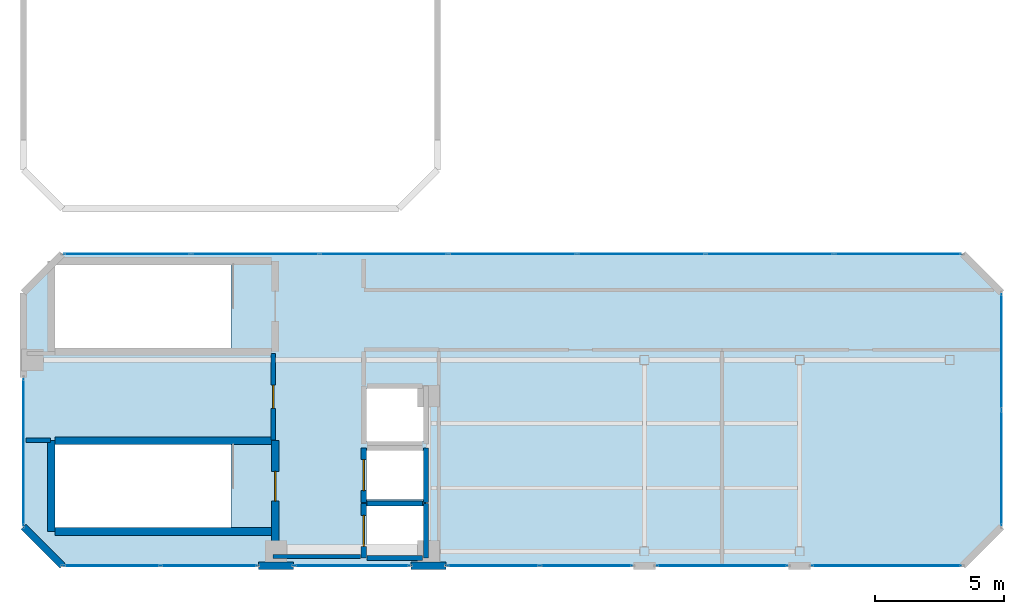
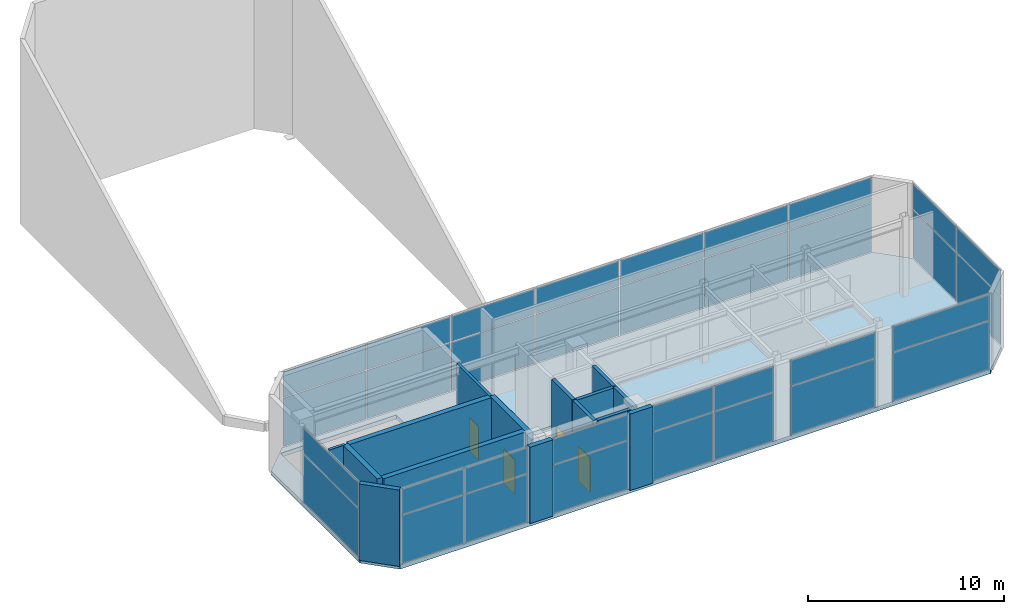
# One storey, part 10 of 12: 34 plates, 16 walls, 4 doors, 1 slab, 4 openings, 8 elements without a shape of their own.
"""IFC4 building model written with IfcOpenShell, lengths in metres."""

from ifc_helpers import new_model, si_unit, direction, frame, frame_2d, origin, origin_2d, place, context, subcontext, project, spatial, polyline, rectangle, outline, extrude, material, layer, layer_set, type_object, element, fill, aggregate, save


model = new_model("IFC4")

# Units and contexts
model_context = context("Model", 3, precision=1e-05, world=origin(), true_north=direction((0.0, 1.0)))
body_context = subcontext(model_context, "Body", "Model", "MODEL_VIEW")
ifc_project = project(units=[si_unit("LENGTHUNIT", "METRE"), si_unit("AREAUNIT", "SQUARE_METRE"), si_unit("VOLUMEUNIT", "CUBIC_METRE"), si_unit("PLANEANGLEUNIT", "RADIAN"), si_unit("MASSUNIT", "GRAM", prefix="KILO")], contexts=[model_context])

# Site, building, storey
site_placement = place(None, origin())
site = spatial("IfcSite", under=ifc_project, at=site_placement, CompositionType="ELEMENT")
building_placement = place(site_placement, origin())
building = spatial("IfcBuilding", under=site, at=building_placement, Name="Mawjaban Terraces University", CompositionType="ELEMENT")
storey_placement = place(building_placement, frame((0.0, 0.0, 321.699951171875)))
storey = spatial("IfcBuildingStorey", under=building, at=storey_placement, Name="L78", CompositionType="ELEMENT", Elevation=321.699951171875)

# Slab
ifc_material_1 = material(Name="Concrete C40/50", Category="concrete")
ifc_layer_1 = layer(ifc_material_1, 0.260009765625)
ifc_layer_set_1 = layer_set([ifc_layer_1], Name="Concrete C40/50")
slab_type = type_object("IfcSlabType", Name="DiaphragmSlab_260", PredefinedType="FLOOR", material=ifc_layer_set_1)
slab_placement = place(storey_placement, frame((0.0, 0.0, -0.260009765625)))
element("IfcSlab", 1, at=slab_placement, inside=storey, type_object=slab_type, Name="L78 Primary Structural Slab", PredefinedType="FLOOR", context=body_context, shape_type="SweptSolid", body=[
    extrude(outline(polyline([(23.5, 0.0), (58.300048828125, 0.0), (59.800048828125, 1.5), (59.800048828125, 10.550048828125), (58.300048828125, 12.050048828125), (23.5, 12.050048828125), (22.0, 10.550048828125), (22.0, 1.5), (23.5, 0.0)]), holes=[polyline([(30.014892578125, 4.699951171875), (23.199951171875, 4.699951171875), (23.199951171875, 1.449951171875), (30.014892578125, 1.449951171875), (30.014892578125, 4.699951171875)]), polyline([(30.014892578125, 11.64990234375), (23.199951171875, 11.64990234375), (23.199951171875, 8.39990234375), (30.014892578125, 8.39990234375), (30.014892578125, 11.64990234375)]), polyline([(35.25, 0.39990234375), (37.449951171875, 0.39990234375), (37.449951171875, 2.300048828125), (35.25, 2.300048828125), (35.25, 0.39990234375)]), polyline([(35.25, 2.550048828125), (37.449951171875, 2.550048828125), (37.449951171875, 4.449951171875), (35.25, 4.449951171875), (35.25, 2.550048828125)]), polyline([(35.25, 4.800048828125), (37.449951171875, 4.800048828125), (37.449951171875, 6.85009765625), (35.25, 6.85009765625), (35.25, 4.800048828125)])]), origin(), (0.0, 0.0, 1.0), 0.260009765625),
])

# Curtain wall, plates
ifc_material_2 = material(Name="Anodised aluminium 6063-T6 and solar-control low-E glass", Category="aluminium")
ifc_layer_2 = layer(ifc_material_2, 0.199951171875)
ifc_layer_set_2 = layer_set([ifc_layer_2], Name="Anodised aluminium 6063-T6 and solar-control low-E glass")
curtain_wall_type = type_object("IfcCurtainWallType", Name="CWSystem_06_ObservationCrown", PredefinedType="NOTDEFINED", material=ifc_layer_set_2)
curtain_wall_1_placement = place(storey_placement, origin())
curtain_wall_1 = element("IfcCurtainWall", 2, at=curtain_wall_1_placement, inside=storey, type_object=curtain_wall_type, Name="L78 Curtain Wall CW-06 Run 1.1", PredefinedType="NOTDEFINED")
ifc_material_3 = material(Name="Low-E solar-control double glazing", Category="glass")
ifc_layer_3 = layer(ifc_material_3, 0.035888671875)
ifc_layer_set_3 = layer_set([ifc_layer_3], Name="Low-E solar-control double glazing")
plate_type = type_object("IfcPlateType", Name="VisionPanel_CW-06", PredefinedType="CURTAIN_PANEL", material=ifc_layer_set_3)
plate_1_placement = place(storey_placement, frame((25.409912109375, 0.0, 0.06005859375), z_axis=(0.0, 0.0, 1.0), x_axis=(1.0, 0.0, 0.0)))
plate_1 = element("IfcPlate", 3, at=plate_1_placement, type_object=plate_type, Name="CW-06 panel 1.1", PredefinedType="CURTAIN_PANEL", context=body_context, shape_type="SweptSolid", body=[
    extrude(rectangle(XDim=3.68994140625, YDim=0.028076171875, at=origin_2d()), origin(), (0.0, 0.0, 1.0), 3.00390625),
])
plate_2_placement = place(storey_placement, frame((25.409912109375, 0.0, 3.1240234375), z_axis=(0.0, 0.0, 1.0), x_axis=(1.0, 0.0, 0.0)))
plate_2 = element("IfcPlate", 4, at=plate_2_placement, type_object=plate_type, Name="CW-06 panel 1.2", PredefinedType="CURTAIN_PANEL", context=body_context, shape_type="SweptSolid", body=[
    extrude(rectangle(XDim=3.68994140625, YDim=0.028076171875, at=origin_2d()), origin(), (0.0, 0.0, 1.0), 1.575927734375),
])
plate_3_placement = place(storey_placement, frame((29.1650390625, 0.0, 0.06005859375), z_axis=(0.0, 0.0, 1.0), x_axis=(1.0, 0.0, 0.0)))
plate_3 = element("IfcPlate", 5, at=plate_3_placement, type_object=plate_type, Name="CW-06 panel 2.1", PredefinedType="CURTAIN_PANEL", context=body_context, shape_type="SweptSolid", body=[
    extrude(rectangle(XDim=3.68994140625, YDim=0.028076171875, at=origin_2d()), origin(), (0.0, 0.0, 1.0), 3.00390625),
])
plate_4_placement = place(storey_placement, frame((29.1650390625, 0.0, 3.1240234375), z_axis=(0.0, 0.0, 1.0), x_axis=(1.0, 0.0, 0.0)))
plate_4 = element("IfcPlate", 6, at=plate_4_placement, type_object=plate_type, Name="CW-06 panel 2.2", PredefinedType="CURTAIN_PANEL", context=body_context, shape_type="SweptSolid", body=[
    extrude(rectangle(XDim=3.68994140625, YDim=0.028076171875, at=origin_2d()), origin(), (0.0, 0.0, 1.0), 1.575927734375),
])
aggregate(curtain_wall_1, [plate_1, plate_2, plate_3, plate_4])

curtain_wall_2_placement = place(storey_placement, origin())
curtain_wall_2 = element("IfcCurtainWall", 7, at=curtain_wall_2_placement, inside=storey, type_object=curtain_wall_type, Name="L78 Curtain Wall CW-06 Run 1.2", PredefinedType="NOTDEFINED")
plate_5_placement = place(storey_placement, frame((34.699951171875, 0.0, 0.06005859375), z_axis=(0.0, 0.0, 1.0), x_axis=(1.0, 0.0, 0.0)))
plate_5 = element("IfcPlate", 8, at=plate_5_placement, type_object=plate_type, Name="CW-06 panel 1.1", PredefinedType="CURTAIN_PANEL", context=body_context, shape_type="SweptSolid", body=[
    extrude(rectangle(XDim=4.419921875, YDim=0.028076171875, at=origin_2d()), origin(), (0.0, 0.0, 1.0), 3.00390625),
])
plate_6_placement = place(storey_placement, frame((34.699951171875, 0.0, 3.1240234375), z_axis=(0.0, 0.0, 1.0), x_axis=(1.0, 0.0, 0.0)))
plate_6 = element("IfcPlate", 9, at=plate_6_placement, type_object=plate_type, Name="CW-06 panel 1.2", PredefinedType="CURTAIN_PANEL", context=body_context, shape_type="SweptSolid", body=[
    extrude(rectangle(XDim=4.419921875, YDim=0.028076171875, at=origin_2d()), origin(), (0.0, 0.0, 1.0), 1.575927734375),
])
aggregate(curtain_wall_2, [plate_5, plate_6])

curtain_wall_3_placement = place(storey_placement, origin())
curtain_wall_3 = element("IfcCurtainWall", 10, at=curtain_wall_3_placement, inside=storey, type_object=curtain_wall_type, Name="L78 Curtain Wall CW-06 Run 1.3", PredefinedType="NOTDEFINED")
plate_7_placement = place(storey_placement, frame((40.15380859375, 0.0, 0.06005859375), z_axis=(0.0, 0.0, 1.0), x_axis=(1.0, 0.0, 0.0)))
plate_7 = element("IfcPlate", 11, at=plate_7_placement, type_object=plate_type, Name="CW-06 panel 1.1", PredefinedType="CURTAIN_PANEL", context=body_context, shape_type="SweptSolid", body=[
    extrude(rectangle(XDim=3.527587890625, YDim=0.028076171875, at=origin_2d()), origin(), (0.0, 0.0, 1.0), 3.00390625),
])
plate_8_placement = place(storey_placement, frame((40.15380859375, 0.0, 3.1240234375), z_axis=(0.0, 0.0, 1.0), x_axis=(1.0, 0.0, 0.0)))
plate_8 = element("IfcPlate", 12, at=plate_8_placement, type_object=plate_type, Name="CW-06 panel 1.2", PredefinedType="CURTAIN_PANEL", context=body_context, shape_type="SweptSolid", body=[
    extrude(rectangle(XDim=3.527587890625, YDim=0.028076171875, at=origin_2d()), origin(), (0.0, 0.0, 1.0), 1.575927734375),
])
plate_9_placement = place(storey_placement, frame((43.746337890625, 0.0, 0.06005859375), z_axis=(0.0, 0.0, 1.0), x_axis=(1.0, 0.0, 0.0)))
plate_9 = element("IfcPlate", 13, at=plate_9_placement, type_object=plate_type, Name="CW-06 panel 2.1", PredefinedType="CURTAIN_PANEL", context=body_context, shape_type="SweptSolid", body=[
    extrude(rectangle(XDim=3.527587890625, YDim=0.028076171875, at=origin_2d()), origin(), (0.0, 0.0, 1.0), 3.00390625),
])
plate_10_placement = place(storey_placement, frame((43.746337890625, 0.0, 3.1240234375), z_axis=(0.0, 0.0, 1.0), x_axis=(1.0, 0.0, 0.0)))
plate_10 = element("IfcPlate", 14, at=plate_10_placement, type_object=plate_type, Name="CW-06 panel 2.2", PredefinedType="CURTAIN_PANEL", context=body_context, shape_type="SweptSolid", body=[
    extrude(rectangle(XDim=3.527587890625, YDim=0.028076171875, at=origin_2d()), origin(), (0.0, 0.0, 1.0), 1.575927734375),
])
aggregate(curtain_wall_3, [plate_7, plate_8, plate_9, plate_10])

curtain_wall_4_placement = place(storey_placement, origin())
curtain_wall_4 = element("IfcCurtainWall", 15, at=curtain_wall_4_placement, inside=storey, type_object=curtain_wall_type, Name="L78 Curtain Wall CW-06 Run 1.4", PredefinedType="NOTDEFINED")
plate_11_placement = place(storey_placement, frame((49.0, 0.0, 0.06005859375), z_axis=(0.0, 0.0, 1.0), x_axis=(1.0, 0.0, 0.0)))
plate_11 = element("IfcPlate", 16, at=plate_11_placement, type_object=plate_type, Name="CW-06 panel 1.1", PredefinedType="CURTAIN_PANEL", context=body_context, shape_type="SweptSolid", body=[
    extrude(rectangle(XDim=5.02001953125, YDim=0.028076171875, at=origin_2d()), origin(), (0.0, 0.0, 1.0), 3.00390625),
])
plate_12_placement = place(storey_placement, frame((49.0, 0.0, 3.1240234375), z_axis=(0.0, 0.0, 1.0), x_axis=(1.0, 0.0, 0.0)))
plate_12 = element("IfcPlate", 17, at=plate_12_placement, type_object=plate_type, Name="CW-06 panel 1.2", PredefinedType="CURTAIN_PANEL", context=body_context, shape_type="SweptSolid", body=[
    extrude(rectangle(XDim=5.02001953125, YDim=0.028076171875, at=origin_2d()), origin(), (0.0, 0.0, 1.0), 1.575927734375),
])
aggregate(curtain_wall_4, [plate_11, plate_12])

curtain_wall_5_placement = place(storey_placement, origin())
curtain_wall_5 = element("IfcCurtainWall", 18, at=curtain_wall_5_placement, inside=storey, type_object=curtain_wall_type, Name="L78 Curtain Wall CW-06 Run 1.5", PredefinedType="NOTDEFINED")
plate_13_placement = place(storey_placement, frame((55.362548828125, 0.0, 0.06005859375), z_axis=(0.0, 0.0, 1.0), x_axis=(1.0, 0.0, 0.0)))
plate_13 = element("IfcPlate", 19, at=plate_13_placement, type_object=plate_type, Name="CW-06 panel 1.1", PredefinedType="CURTAIN_PANEL", context=body_context, shape_type="SweptSolid", body=[
    extrude(rectangle(XDim=5.7451171875, YDim=0.028076171875, at=origin_2d()), origin(), (0.0, 0.0, 1.0), 3.00390625),
])
plate_14_placement = place(storey_placement, frame((55.362548828125, 0.0, 3.1240234375), z_axis=(0.0, 0.0, 1.0), x_axis=(1.0, 0.0, 0.0)))
plate_14 = element("IfcPlate", 20, at=plate_14_placement, type_object=plate_type, Name="CW-06 panel 1.2", PredefinedType="CURTAIN_PANEL", context=body_context, shape_type="SweptSolid", body=[
    extrude(rectangle(XDim=5.7451171875, YDim=0.028076171875, at=origin_2d()), origin(), (0.0, 0.0, 1.0), 1.575927734375),
])
aggregate(curtain_wall_5, [plate_13, plate_14])

curtain_wall_6_placement = place(storey_placement, origin())
curtain_wall_6 = element("IfcCurtainWall", 21, at=curtain_wall_6_placement, inside=storey, type_object=curtain_wall_type, Name="L78 Curtain Wall CW-06 Run 3.1", PredefinedType="NOTDEFINED")
plate_15_placement = place(storey_placement, frame((59.800048828125, 3.77880859375, 0.06005859375), z_axis=(0.0, 0.0, 1.0), x_axis=(0.0, 1.0, 0.0)))
plate_15 = element("IfcPlate", 22, at=plate_15_placement, type_object=plate_type, Name="CW-06 panel 1.1", PredefinedType="CURTAIN_PANEL", context=body_context, shape_type="SweptSolid", body=[
    extrude(rectangle(XDim=4.427490234375, YDim=0.028076171875, at=origin_2d()), origin(), (0.0, 0.0, 1.0), 3.00390625),
])
plate_16_placement = place(storey_placement, frame((59.800048828125, 3.77880859375, 3.1240234375), z_axis=(0.0, 0.0, 1.0), x_axis=(0.0, 1.0, 0.0)))
plate_16 = element("IfcPlate", 23, at=plate_16_placement, type_object=plate_type, Name="CW-06 panel 1.2", PredefinedType="CURTAIN_PANEL", context=body_context, shape_type="SweptSolid", body=[
    extrude(rectangle(XDim=4.427490234375, YDim=0.028076171875, at=origin_2d()), origin(), (0.0, 0.0, 1.0), 1.575927734375),
])
plate_17_placement = place(storey_placement, frame((59.800048828125, 8.271240234375, 0.06005859375), z_axis=(0.0, 0.0, 1.0), x_axis=(0.0, 1.0, 0.0)))
plate_17 = element("IfcPlate", 24, at=plate_17_placement, type_object=plate_type, Name="CW-06 panel 2.1", PredefinedType="CURTAIN_PANEL", context=body_context, shape_type="SweptSolid", body=[
    extrude(rectangle(XDim=4.427490234375, YDim=0.028076171875, at=origin_2d()), origin(), (0.0, 0.0, 1.0), 3.00390625),
])
plate_18_placement = place(storey_placement, frame((59.800048828125, 8.271240234375, 3.1240234375), z_axis=(0.0, 0.0, 1.0), x_axis=(0.0, 1.0, 0.0)))
plate_18 = element("IfcPlate", 25, at=plate_18_placement, type_object=plate_type, Name="CW-06 panel 2.2", PredefinedType="CURTAIN_PANEL", context=body_context, shape_type="SweptSolid", body=[
    extrude(rectangle(XDim=4.427490234375, YDim=0.028076171875, at=origin_2d()), origin(), (0.0, 0.0, 1.0), 1.575927734375),
])
aggregate(curtain_wall_6, [plate_15, plate_16, plate_17, plate_18])

curtain_wall_7_placement = place(storey_placement, origin())
curtain_wall_7 = element("IfcCurtainWall", 26, at=curtain_wall_7_placement, inside=storey, type_object=curtain_wall_type, Name="L78 Curtain Wall CW-06 Run 5.1", PredefinedType="NOTDEFINED")
plate_19_placement = place(storey_placement, frame((55.798095703125, 12.050048828125, 0.06005859375), z_axis=(0.0, 0.0, 1.0), x_axis=(-1.0, 0.0, 0.0)))
plate_19 = element("IfcPlate", 27, at=plate_19_placement, type_object=plate_type, Name="CW-06 panel 1.1", PredefinedType="CURTAIN_PANEL", context=body_context, shape_type="SweptSolid", body=[
    extrude(rectangle(XDim=4.8740234375, YDim=0.028076171875, at=origin_2d()), origin(), (0.0, 0.0, 1.0), 3.00390625),
])
plate_20_placement = place(storey_placement, frame((55.798095703125, 12.050048828125, 3.1240234375), z_axis=(0.0, 0.0, 1.0), x_axis=(-1.0, 0.0, 0.0)))
plate_20 = element("IfcPlate", 28, at=plate_20_placement, type_object=plate_type, Name="CW-06 panel 1.2", PredefinedType="CURTAIN_PANEL", context=body_context, shape_type="SweptSolid", body=[
    extrude(rectangle(XDim=4.8740234375, YDim=0.028076171875, at=origin_2d()), origin(), (0.0, 0.0, 1.0), 1.575927734375),
])
plate_21_placement = place(storey_placement, frame((50.8427734375, 12.050048828125, 0.06005859375), z_axis=(0.0, 0.0, 1.0), x_axis=(-1.0, 0.0, 0.0)))
plate_21 = element("IfcPlate", 29, at=plate_21_placement, type_object=plate_type, Name="CW-06 panel 2.1", PredefinedType="CURTAIN_PANEL", context=body_context, shape_type="SweptSolid", body=[
    extrude(rectangle(XDim=4.906494140625, YDim=0.028076171875, at=origin_2d()), origin(), (0.0, 0.0, 1.0), 3.00390625),
])
plate_22_placement = place(storey_placement, frame((50.8427734375, 12.050048828125, 3.1240234375), z_axis=(0.0, 0.0, 1.0), x_axis=(-1.0, 0.0, 0.0)))
plate_22 = element("IfcPlate", 30, at=plate_22_placement, type_object=plate_type, Name="CW-06 panel 2.2", PredefinedType="CURTAIN_PANEL", context=body_context, shape_type="SweptSolid", body=[
    extrude(rectangle(XDim=4.906494140625, YDim=0.028076171875, at=origin_2d()), origin(), (0.0, 0.0, 1.0), 1.575927734375),
])
plate_23_placement = place(storey_placement, frame((45.871337890625, 12.050048828125, 0.06005859375), z_axis=(0.0, 0.0, 1.0), x_axis=(-1.0, 0.0, 0.0)))
plate_23 = element("IfcPlate", 31, at=plate_23_placement, type_object=plate_type, Name="CW-06 panel 3.1", PredefinedType="CURTAIN_PANEL", context=body_context, shape_type="SweptSolid", body=[
    extrude(rectangle(XDim=4.906494140625, YDim=0.028076171875, at=origin_2d()), origin(), (0.0, 0.0, 1.0), 3.00390625),
])
plate_24_placement = place(storey_placement, frame((45.871337890625, 12.050048828125, 3.1240234375), z_axis=(0.0, 0.0, 1.0), x_axis=(-1.0, 0.0, 0.0)))
plate_24 = element("IfcPlate", 32, at=plate_24_placement, type_object=plate_type, Name="CW-06 panel 3.2", PredefinedType="CURTAIN_PANEL", context=body_context, shape_type="SweptSolid", body=[
    extrude(rectangle(XDim=4.906494140625, YDim=0.028076171875, at=origin_2d()), origin(), (0.0, 0.0, 1.0), 1.575927734375),
])
plate_25_placement = place(storey_placement, frame((40.89990234375, 12.050048828125, 0.06005859375), z_axis=(0.0, 0.0, 1.0), x_axis=(-1.0, 0.0, 0.0)))
plate_25 = element("IfcPlate", 33, at=plate_25_placement, type_object=plate_type, Name="CW-06 panel 4.1", PredefinedType="CURTAIN_PANEL", context=body_context, shape_type="SweptSolid", body=[
    extrude(rectangle(XDim=4.906494140625, YDim=0.028076171875, at=origin_2d()), origin(), (0.0, 0.0, 1.0), 3.00390625),
])
plate_26_placement = place(storey_placement, frame((40.89990234375, 12.050048828125, 3.1240234375), z_axis=(0.0, 0.0, 1.0), x_axis=(-1.0, 0.0, 0.0)))
plate_26 = element("IfcPlate", 34, at=plate_26_placement, type_object=plate_type, Name="CW-06 panel 4.2", PredefinedType="CURTAIN_PANEL", context=body_context, shape_type="SweptSolid", body=[
    extrude(rectangle(XDim=4.906494140625, YDim=0.028076171875, at=origin_2d()), origin(), (0.0, 0.0, 1.0), 1.575927734375),
])
plate_27_placement = place(storey_placement, frame((35.928466796875, 12.050048828125, 0.06005859375), z_axis=(0.0, 0.0, 1.0), x_axis=(-1.0, 0.0, 0.0)))
plate_27 = element("IfcPlate", 35, at=plate_27_placement, type_object=plate_type, Name="CW-06 panel 5.1", PredefinedType="CURTAIN_PANEL", context=body_context, shape_type="SweptSolid", body=[
    extrude(rectangle(XDim=4.906494140625, YDim=0.028076171875, at=origin_2d()), origin(), (0.0, 0.0, 1.0), 3.00390625),
])
plate_28_placement = place(storey_placement, frame((35.928466796875, 12.050048828125, 3.1240234375), z_axis=(0.0, 0.0, 1.0), x_axis=(-1.0, 0.0, 0.0)))
plate_28 = element("IfcPlate", 36, at=plate_28_placement, type_object=plate_type, Name="CW-06 panel 5.2", PredefinedType="CURTAIN_PANEL", context=body_context, shape_type="SweptSolid", body=[
    extrude(rectangle(XDim=4.906494140625, YDim=0.028076171875, at=origin_2d()), origin(), (0.0, 0.0, 1.0), 1.575927734375),
])
plate_29_placement = place(storey_placement, frame((30.95703125, 12.050048828125, 0.06005859375), z_axis=(0.0, 0.0, 1.0), x_axis=(-1.0, 0.0, 0.0)))
plate_29 = element("IfcPlate", 37, at=plate_29_placement, type_object=plate_type, Name="CW-06 panel 6.1", PredefinedType="CURTAIN_PANEL", context=body_context, shape_type="SweptSolid", body=[
    extrude(rectangle(XDim=4.906494140625, YDim=0.028076171875, at=origin_2d()), origin(), (0.0, 0.0, 1.0), 3.00390625),
])
plate_30_placement = place(storey_placement, frame((30.95703125, 12.050048828125, 3.1240234375), z_axis=(0.0, 0.0, 1.0), x_axis=(-1.0, 0.0, 0.0)))
plate_30 = element("IfcPlate", 38, at=plate_30_placement, type_object=plate_type, Name="CW-06 panel 6.2", PredefinedType="CURTAIN_PANEL", context=body_context, shape_type="SweptSolid", body=[
    extrude(rectangle(XDim=4.906494140625, YDim=0.028076171875, at=origin_2d()), origin(), (0.0, 0.0, 1.0), 1.575927734375),
])
plate_31_placement = place(storey_placement, frame((26.001953125, 12.050048828125, 0.06005859375), z_axis=(0.0, 0.0, 1.0), x_axis=(-1.0, 0.0, 0.0)))
plate_31 = element("IfcPlate", 39, at=plate_31_placement, type_object=plate_type, Name="CW-06 panel 7.1", PredefinedType="CURTAIN_PANEL", context=body_context, shape_type="SweptSolid", body=[
    extrude(rectangle(XDim=4.8740234375, YDim=0.028076171875, at=origin_2d()), origin(), (0.0, 0.0, 1.0), 3.00390625),
])
plate_32_placement = place(storey_placement, frame((26.001953125, 12.050048828125, 3.1240234375), z_axis=(0.0, 0.0, 1.0), x_axis=(-1.0, 0.0, 0.0)))
plate_32 = element("IfcPlate", 40, at=plate_32_placement, type_object=plate_type, Name="CW-06 panel 7.2", PredefinedType="CURTAIN_PANEL", context=body_context, shape_type="SweptSolid", body=[
    extrude(rectangle(XDim=4.8740234375, YDim=0.028076171875, at=origin_2d()), origin(), (0.0, 0.0, 1.0), 1.575927734375),
])
aggregate(curtain_wall_7, [plate_19, plate_20, plate_21, plate_22, plate_23, plate_24, plate_25, plate_26, plate_27, plate_28, plate_29, plate_30, plate_31, plate_32])

curtain_wall_8_placement = place(storey_placement, origin())
curtain_wall_8 = element("IfcCurtainWall", 41, at=curtain_wall_8_placement, inside=storey, type_object=curtain_wall_type, Name="L78 Curtain Wall CW-06 Run 7.1", PredefinedType="NOTDEFINED")
plate_33_placement = place(storey_placement, frame((22.0, 4.387451171875, 0.06005859375), z_axis=(0.0, 0.0, 1.0), x_axis=(0.0, -1.0, 0.0)))
plate_33 = element("IfcPlate", 42, at=plate_33_placement, type_object=plate_type, Name="CW-06 panel 1.1", PredefinedType="CURTAIN_PANEL", context=body_context, shape_type="SweptSolid", body=[
    extrude(rectangle(XDim=5.64501953125, YDim=0.028076171875, at=origin_2d()), origin(), (0.0, 0.0, 1.0), 3.00390625),
])
plate_34_placement = place(storey_placement, frame((22.0, 4.387451171875, 3.1240234375), z_axis=(0.0, 0.0, 1.0), x_axis=(0.0, -1.0, 0.0)))
plate_34 = element("IfcPlate", 43, at=plate_34_placement, type_object=plate_type, Name="CW-06 panel 1.2", PredefinedType="CURTAIN_PANEL", context=body_context, shape_type="SweptSolid", body=[
    extrude(rectangle(XDim=5.64501953125, YDim=0.028076171875, at=origin_2d()), origin(), (0.0, 0.0, 1.0), 1.575927734375),
])
aggregate(curtain_wall_8, [plate_33, plate_34])

# Walls
ifc_material_4 = material(Name="Fire-rated gypsum board on steel stud", Category="steel")
ifc_layer_4 = layer(ifc_material_4, 0.159912109375)
ifc_layer_set_4 = layer_set([ifc_layer_4], Name="Fire-rated gypsum board on steel stud")
wall_type_1 = type_object("IfcWallType", Name="CorridorPartition_160", PredefinedType="PARTITIONING", material=ifc_layer_set_4)
wall_1_placement = place(storey_placement, frame((22.090087890625, 4.85009765625, 0.0), z_axis=(0.0, 0.0, 1.0), x_axis=(1.0, 0.0, 0.0)))
element("IfcWall", 44, at=wall_1_placement, inside=storey, type_object=wall_type_1, Name="L78 East Peak Lift Machine Room Partition 1", PredefinedType="PARTITIONING", context=body_context, shape_type="SweptSolid", body=[
    extrude(rectangle(XDim=0.949951171875, YDim=0.159912109375, at=frame_2d((0.47509765625, 0.0))), origin(), (0.0, 0.0, 1.0), 4.760009765625),
])
wall_2_placement = place(storey_placement, frame((31.64990234375, 0.35009765625, 0.0), z_axis=(0.0, 0.0, 1.0), x_axis=(1.0, 0.0, 0.0)))
element("IfcWall", 45, at=wall_2_placement, inside=storey, type_object=wall_type_1, Name="L78 East Peak Stair and Lift Plant Lobby Partition 3", PredefinedType="PARTITIONING", context=body_context, shape_type="SweptSolid", body=[
    extrude(rectangle(XDim=3.3701171875, YDim=0.159912109375, at=frame_2d((1.68505859375, 0.0))), origin(), (0.0, 0.0, 1.0), 3.860107421875),
])

# Wall, opening, door
wall_3_placement = place(storey_placement, frame((31.64990234375, 4.860107421875, 0.0), z_axis=(0.0, 0.0, 1.0), x_axis=(0.0, 1.0, 0.0)))
wall_3 = element("IfcWall", 46, at=wall_3_placement, inside=storey, type_object=wall_type_1, Name="L78 East Peak Lift Machine Room Partition 8", PredefinedType="PARTITIONING", context=body_context, shape_type="SweptSolid", body=[
    extrude(rectangle(XDim=3.33984375, YDim=0.159912109375, at=frame_2d((1.669921875, 0.0))), origin(), (0.0, 0.0, 1.0), 4.760009765625),
])
opening_1_placement = place(wall_3_placement, frame((1.219970703125, 0.0, 0.0)))
opening_1 = element("IfcOpeningElement", 47, at=opening_1_placement, cuts=wall_3, Name="Opening ID-090", PredefinedType="OPENING", context=body_context, shape_type="SweptSolid", body=[
    extrude(rectangle(XDim=0.89990234375, YDim=2.10009765625, at=frame_2d((0.449951171875, 1.050048828125))), frame((0.0, 0.08984375, 0.0), z_axis=(0.0, -1.0, 0.0), x_axis=(1.0, 0.0, 0.0)), (0.0, 0.0, 1.0), 0.179931640625),
])
ifc_material_5 = material(Name="Powder-coated steel frame and solid acoustic timber leaf", Category="steel")
door_type_1 = type_object("IfcDoorType", Name="OfficeDoor_900x2100", OperationType="NOTDEFINED", PredefinedType="DOOR", material=ifc_material_5)
door_1_placement = place(opening_1_placement, origin())
door_1 = element("IfcDoor", 48, at=door_1_placement, inside=storey, type_object=door_type_1, Name="L78 East Peak Lift Machine Room Door", OperationType="SINGLE_SWING_LEFT", OverallHeight=2.10009765625, OverallWidth=0.89990234375, PredefinedType="DOOR", context=body_context, shape_type="SweptSolid", body=[
    extrude(rectangle(XDim=0.89990234375, YDim=2.10009765625, at=frame_2d((0.449951171875, 1.050048828125))), frame((0.0, 0.02490234375, 0.0), z_axis=(0.0, -1.0, 0.0), x_axis=(1.0, 0.0, 0.0)), (0.0, 0.0, 1.0), 0.050048828125),
])
fill(opening_1, door_1)

# Walls
ifc_material_6 = material(Name="Insulated terracotta rainscreen on concrete backup C40/50", Category="masonry")
ifc_layer_5 = layer(ifc_material_6, 0.27490234375)
ifc_layer_set_5 = layer_set([ifc_layer_5], Name="Insulated terracotta rainscreen on concrete backup C40/50")
wall_type_2 = type_object("IfcWallType", Name="ExtTerracottaWall_275", PredefinedType="SOLIDWALL", material=ifc_layer_set_5)
wall_4_placement = place(storey_placement, frame((31.074951171875, 0.0, 0.0), z_axis=(0.0, 0.0, 1.0), x_axis=(1.0, 0.0, 0.0)))
element("IfcWall", 49, at=wall_4_placement, inside=storey, type_object=wall_type_2, Name="L78 Exterior Terracotta Pier Wall 1.1", PredefinedType="SOLIDWALL", context=body_context, shape_type="SweptSolid", body=[
    extrude(rectangle(XDim=1.35009765625, YDim=0.27490234375, at=frame_2d((0.675048828125, 0.0))), origin(), (0.0, 0.0, 1.0), 4.760009765625),
])
wall_5_placement = place(storey_placement, frame((36.97509765625, 0.0, 0.0), z_axis=(0.0, 0.0, 1.0), x_axis=(1.0, 0.0, 0.0)))
element("IfcWall", 50, at=wall_5_placement, inside=storey, type_object=wall_type_2, Name="L78 Exterior Terracotta Pier Wall 1.2", PredefinedType="SOLIDWALL", context=body_context, shape_type="SweptSolid", body=[
    extrude(rectangle(XDim=1.349853515625, YDim=0.27490234375, at=frame_2d((0.6748046875, 0.0))), origin(), (0.0, 0.0, 1.0), 4.760009765625),
])
wall_6_placement = place(storey_placement, frame((22.0, 1.5, 0.0), z_axis=(0.0, 0.0, 1.0), x_axis=(0.707106781187, -0.707106781187, 0.0)))
element("IfcWall", 51, at=wall_6_placement, inside=storey, type_object=wall_type_2, Name="L78 Exterior Terracotta Wall 8", PredefinedType="SOLIDWALL", context=body_context, shape_type="SweptSolid", body=[
    extrude(rectangle(XDim=2.121337890625, YDim=0.27490234375, at=frame_2d((1.060546875, 0.0))), origin(), (0.0, 0.0, 1.0), 4.760009765625),
])

# Wall, opening, door
ifc_layer_6 = layer(ifc_material_1, 0.199951171875)
ifc_layer_set_6 = layer_set([ifc_layer_6], Name="Concrete C40/50")
wall_type_3 = type_object("IfcWallType", Name="FireLobbyWall_200", PredefinedType="SOLIDWALL", material=ifc_layer_set_6)
wall_7_placement = place(storey_placement, frame((35.14990234375, 2.39990234375, 0.0), z_axis=(0.0, 0.0, 1.0), x_axis=(0.0, -1.0, 0.0)))
wall_7 = element("IfcWall", 52, at=wall_7_placement, inside=storey, type_object=wall_type_3, Name="L78 Lift FL-1 Hoistway Wall West", PredefinedType="SOLIDWALL", context=body_context, shape_type="SweptSolid", body=[
    extrude(rectangle(XDim=2.099853515625, YDim=0.199951171875, at=frame_2d((1.0498046875, 0.0))), origin(), (0.0, 0.0, 1.0), 4.760009765625),
])
opening_2_placement = place(wall_7_placement, frame((0.449951171875, 0.0, 0.0)))
opening_2 = element("IfcOpeningElement", 53, at=opening_2_placement, cuts=wall_7, Name="Opening LD-FL-1", PredefinedType="OPENING", context=body_context, shape_type="SweptSolid", body=[
    extrude(rectangle(XDim=1.199951171875, YDim=2.14990234375, at=frame_2d((0.60009765625, 1.074951171875))), frame((0.0, 0.10986328125, 0.0), z_axis=(0.0, -1.0, 0.0), x_axis=(1.0, 0.0, 0.0)), (0.0, 0.0, 1.0), 0.219970703125),
])
ifc_material_7 = material(Name="Powder-coated steel frame and fire-rated steel-faced leaf", Category="steel")
door_type_2 = type_object("IfcDoorType", Name="LiftLandingFSAE_1200x2150", OperationType="NOTDEFINED", PredefinedType="DOOR", material=ifc_material_7)
door_2_placement = place(opening_2_placement, origin())
door_2 = element("IfcDoor", 54, at=door_2_placement, inside=storey, type_object=door_type_2, Name="L78 Lift FL-1 Sliding Landing Door", OperationType="DOUBLE_DOOR_SLIDING", OverallHeight=2.14990234375, OverallWidth=1.199951171875, PredefinedType="DOOR", context=body_context, shape_type="SweptSolid", body=[
    extrude(rectangle(XDim=1.199951171875, YDim=2.14990234375, at=frame_2d((0.60009765625, 1.074951171875))), frame((0.0, 0.02490234375, 0.0), z_axis=(0.0, -1.0, 0.0), x_axis=(1.0, 0.0, 0.0)), (0.0, 0.0, 1.0), 0.050048828125),
])
fill(opening_2, door_2)

# Walls
wall_8_placement = place(storey_placement, frame((37.550048828125, 0.300048828125, 0.0), z_axis=(0.0, 0.0, 1.0), x_axis=(0.0, 1.0, 0.0)))
element("IfcWall", 55, at=wall_8_placement, inside=storey, type_object=wall_type_3, Name="L78 Lift FL-1 Hoistway Wall East", PredefinedType="SOLIDWALL", context=body_context, shape_type="SweptSolid", body=[
    extrude(rectangle(XDim=2.099853515625, YDim=0.199951171875, at=frame_2d((1.0498046875, 0.0))), origin(), (0.0, 0.0, 1.0), 4.760009765625),
])
for number, where, z_axis, x_axis, name in (
    (56, (35.280029296875, 0.300048828125, 0.0), (0.0, 0.0, 1.0), (1.0, 0.0, 0.0), "L78 Lift FL-1 Hoistway Wall South"),
    (57, (37.419921875, 2.39990234375, 0.0), (0.0, 0.0, 1.0), (-1.0, 0.0, 0.0), "L78 Lift FL-1 Hoistway Wall North"),
):
    element("IfcWall", number, at=place(storey_placement, frame(where, z_axis=z_axis, x_axis=x_axis)), inside=storey, type_object=wall_type_3, Name=name, PredefinedType="SOLIDWALL", context=body_context, shape_type="SweptSolid", body=[
        extrude(rectangle(XDim=2.139892578125, YDim=0.199951171875, at=frame_2d((1.06982421875, 0.0))), origin(), (0.0, 0.0, 1.0), 4.760009765625),
    ])

# Wall, opening, door
wall_9_placement = place(storey_placement, frame((35.14990234375, 4.550048828125, 0.0), z_axis=(0.0, 0.0, 1.0), x_axis=(0.0, -1.0, 0.0)))
wall_9 = element("IfcWall", 58, at=wall_9_placement, inside=storey, type_object=wall_type_3, Name="L78 Lift FL-2 Hoistway Wall West", PredefinedType="SOLIDWALL", context=body_context, shape_type="SweptSolid", body=[
    extrude(rectangle(XDim=2.10009765625, YDim=0.199951171875, at=frame_2d((1.050048828125, 0.0))), origin(), (0.0, 0.0, 1.0), 4.760009765625),
])
opening_3_placement = place(wall_9_placement, frame((0.449951171875, 0.0, 0.0)))
opening_3 = element("IfcOpeningElement", 59, at=opening_3_placement, cuts=wall_9, Name="Opening LD-FL-2", PredefinedType="OPENING", context=body_context, shape_type="SweptSolid", body=[
    extrude(rectangle(XDim=1.199951171875, YDim=2.14990234375, at=frame_2d((0.60009765625, 1.074951171875))), frame((0.0, 0.10986328125, 0.0), z_axis=(0.0, -1.0, 0.0), x_axis=(1.0, 0.0, 0.0)), (0.0, 0.0, 1.0), 0.219970703125),
])
door_3_placement = place(opening_3_placement, origin())
door_3 = element("IfcDoor", 60, at=door_3_placement, inside=storey, type_object=door_type_2, Name="L78 Lift FL-2 Sliding Landing Door", OperationType="DOUBLE_DOOR_SLIDING", OverallHeight=2.14990234375, OverallWidth=1.199951171875, PredefinedType="DOOR", context=body_context, shape_type="SweptSolid", body=[
    extrude(rectangle(XDim=1.199951171875, YDim=2.14990234375, at=frame_2d((0.60009765625, 1.074951171875))), frame((0.0, 0.02490234375, 0.0), z_axis=(0.0, -1.0, 0.0), x_axis=(1.0, 0.0, 0.0)), (0.0, 0.0, 1.0), 0.050048828125),
])
fill(opening_3, door_3)

# Walls
wall_10_placement = place(storey_placement, frame((37.550048828125, 2.449951171875, 0.0), z_axis=(0.0, 0.0, 1.0), x_axis=(0.0, 1.0, 0.0)))
element("IfcWall", 61, at=wall_10_placement, inside=storey, type_object=wall_type_3, Name="L78 Lift FL-2 Hoistway Wall East", PredefinedType="SOLIDWALL", context=body_context, shape_type="SweptSolid", body=[
    extrude(rectangle(XDim=2.10009765625, YDim=0.199951171875, at=frame_2d((1.050048828125, 0.0))), origin(), (0.0, 0.0, 1.0), 4.760009765625),
])
ifc_material_8 = material(Name="Concrete C60/75", Category="concrete")
ifc_layer_7 = layer(ifc_material_8, 0.300048828125)
ifc_layer_set_7 = layer_set([ifc_layer_7], Name="Concrete C60/75")
wall_type_4 = type_object("IfcWallType", Name="StairShaftWall_300", PredefinedType="SHEAR", material=ifc_layer_set_7)
wall_11_placement = place(storey_placement, frame((31.580078125, 4.830078125, 0.0), z_axis=(0.0, 0.0, 1.0), x_axis=(-1.0, 0.0, 0.0)))
element("IfcWall", 62, at=wall_11_placement, inside=storey, type_object=wall_type_4, Name="L78 ST-1 Stair Shaft Wall 1", PredefinedType="SHEAR", context=body_context, shape_type="SweptSolid", body=[
    extrude(rectangle(XDim=8.360107421875, YDim=0.300048828125, at=frame_2d((4.18017578125, 0.0))), origin(), (0.0, 0.0, 1.0), 4.760009765625),
])
wall_12_placement = place(storey_placement, frame((23.070068359375, 4.830078125, 0.0), z_axis=(0.0, 0.0, 1.0), x_axis=(0.0, -1.0, 0.0)))
element("IfcWall", 63, at=wall_12_placement, inside=storey, type_object=wall_type_4, Name="L78 ST-1 Stair Shaft Wall 2", PredefinedType="SHEAR", context=body_context, shape_type="SweptSolid", body=[
    extrude(rectangle(XDim=3.510009765625, YDim=0.300048828125, at=frame_2d((1.7548828125, 0.0))), origin(), (0.0, 0.0, 1.0), 4.760009765625),
])
wall_13_placement = place(storey_placement, frame((23.219970703125, 1.320068359375, 0.0), z_axis=(0.0, 0.0, 1.0), x_axis=(1.0, 0.0, 0.0)))
element("IfcWall", 64, at=wall_13_placement, inside=storey, type_object=wall_type_4, Name="L78 ST-1 Stair Shaft Wall 3", PredefinedType="SHEAR", context=body_context, shape_type="SweptSolid", body=[
    extrude(rectangle(XDim=8.360107421875, YDim=0.300048828125, at=frame_2d((4.18017578125, 0.0))), origin(), (0.0, 0.0, 1.0), 4.760009765625),
])

# Wall, opening, door
wall_14_placement = place(storey_placement, frame((31.72998046875, 0.9599609375, 0.0), z_axis=(0.0, 0.0, 1.0), x_axis=(0.0, 1.0, 0.0)))
wall_14 = element("IfcWall", 65, at=wall_14_placement, inside=storey, type_object=wall_type_4, Name="L78 ST-1 Stair Shaft Wall 4", PredefinedType="SHEAR", context=body_context, shape_type="SweptSolid", body=[
    extrude(rectangle(XDim=3.8701171875, YDim=0.300048828125, at=frame_2d((1.93505859375, 0.0))), origin(), (0.0, 0.0, 1.0), 4.760009765625),
])
opening_4_placement = place(wall_14_placement, frame((1.5400390625, 0.0, 0.0)))
opening_4 = element("IfcOpeningElement", 66, at=opening_4_placement, cuts=wall_14, Name="Opening FD-115", PredefinedType="OPENING", context=body_context, shape_type="SweptSolid", body=[
    extrude(rectangle(XDim=1.14990234375, YDim=2.14990234375, at=frame_2d((0.574951171875, 1.074951171875))), frame((0.0, 0.159912109375, 0.0), z_axis=(0.0, -1.0, 0.0), x_axis=(1.0, 0.0, 0.0)), (0.0, 0.0, 1.0), 0.320068359375),
])
door_type_3 = type_object("IfcDoorType", Name="FireStairDoor_1150x2150", OperationType="NOTDEFINED", PredefinedType="DOOR", material=ifc_material_7)
door_4_placement = place(opening_4_placement, origin())
door_4 = element("IfcDoor", 67, at=door_4_placement, inside=storey, type_object=door_type_3, Name="L78 ST-1 Pressurised Stair Fire Door", OperationType="SINGLE_SWING_LEFT", OverallHeight=2.14990234375, OverallWidth=1.14990234375, PredefinedType="DOOR", context=body_context, shape_type="SweptSolid", body=[
    extrude(rectangle(XDim=1.14990234375, YDim=2.14990234375, at=frame_2d((0.574951171875, 1.074951171875))), frame((0.0, 0.02490234375, 0.0), z_axis=(0.0, -1.0, 0.0), x_axis=(1.0, 0.0, 0.0)), (0.0, 0.0, 1.0), 0.050048828125),
])
fill(opening_4, door_4)

save(model, "model.ifc")
